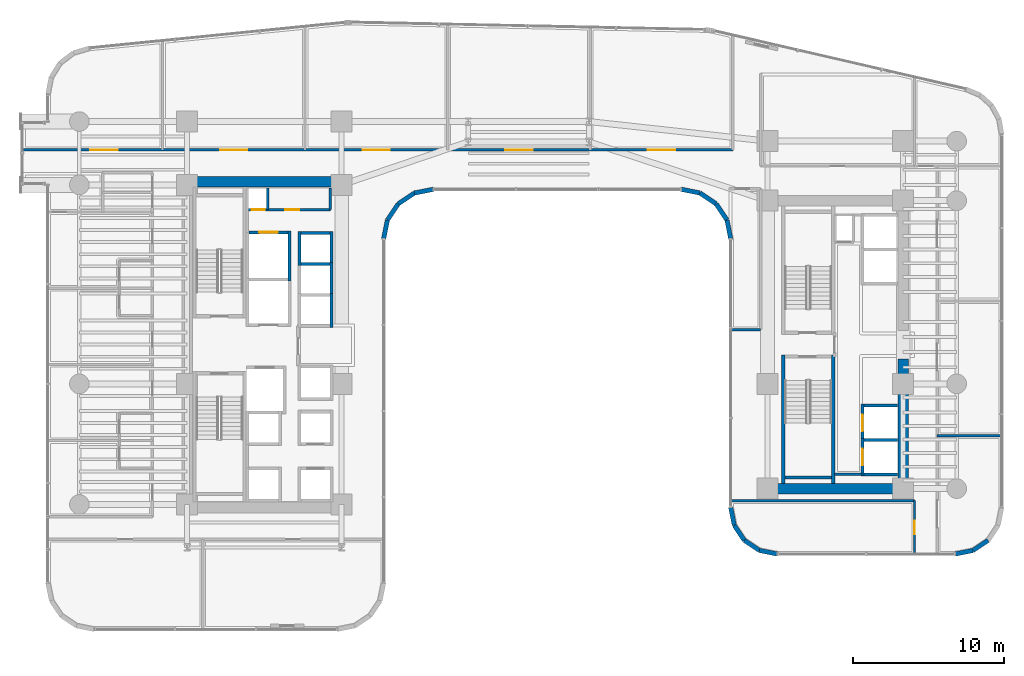
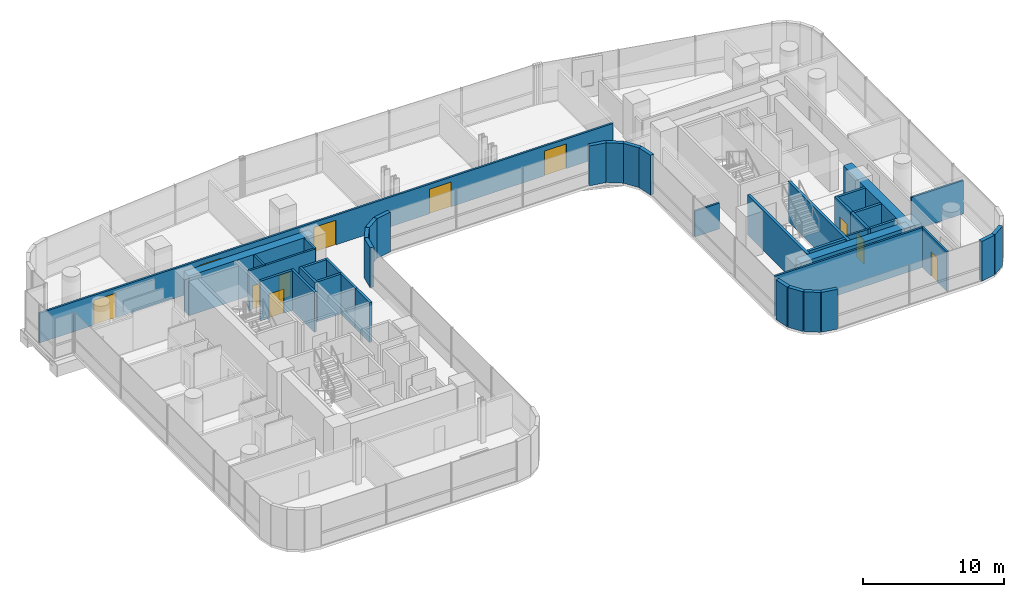
# One storey, part 33 of 40: 42 walls, 11 doors, 11 openings.
"""IFC4 building model written with IfcOpenShell, lengths in metres."""

from ifc_helpers import new_model, si_unit, direction, frame, frame_2d, origin, place, context, subcontext, project, spatial, rectangle, extrude, material, layer, layer_set, type_object, element, fill, save


model = new_model("IFC4")

# Units and contexts
model_context = context("Model", 3, precision=1e-05, world=origin(), true_north=direction((0.0, 1.0)))
body_context = subcontext(model_context, "Body", "Model", "MODEL_VIEW")
ifc_project = project(units=[si_unit("LENGTHUNIT", "METRE"), si_unit("AREAUNIT", "SQUARE_METRE"), si_unit("VOLUMEUNIT", "CUBIC_METRE"), si_unit("PLANEANGLEUNIT", "RADIAN"), si_unit("MASSUNIT", "GRAM", prefix="KILO")], contexts=[model_context])

# Site, building, storey
site_placement = place(None, origin())
site = spatial("IfcSite", under=ifc_project, at=site_placement, CompositionType="ELEMENT")
building_placement = place(site_placement, origin())
building = spatial("IfcBuilding", under=site, at=building_placement, Name="Valdorenza Pilgrim Sanctuary Tower", CompositionType="ELEMENT")
storey_placement = place(building_placement, frame((0.0, 0.0, 81.5)))
storey = spatial("IfcBuildingStorey", under=building, at=storey_placement, Name="L20", CompositionType="ELEMENT", Elevation=81.5)

# Wall, openings, doors
ifc_material_1 = material(Name="Acoustic twin-stud gypsum partition", Category="gypsum")
ifc_layer_1 = layer(ifc_material_1, 0.159912109375, Name="Acoustic twin-stud gypsum partition")
ifc_layer_set_1 = layer_set([ifc_layer_1], Name="Acoustic twin-stud gypsum partition")
wall_type_1 = type_object("IfcWallType", Name="WAL-COR-160", PredefinedType="PARTITIONING", material=ifc_layer_set_1)
wall_1_placement = place(storey_placement, frame((-18.64990234375, 8.949951171875, 0.0), z_axis=(0.0, 0.0, 1.0), x_axis=(1.0, 0.0, 0.0)))
wall_1 = element("IfcWall", 1, at=wall_1_placement, inside=storey, type_object=wall_type_1, Name="L20 Core A North Service South Wall", PredefinedType="PARTITIONING", context=body_context, shape_type="SweptSolid", body=[
    extrude(rectangle(XDim=5.5, YDim=0.159912109375, at=frame_2d((2.75, 0.0))), origin(), (0.0, 0.0, 1.0), 3.4599609375),
])
opening_1_placement = place(wall_1_placement, frame((0.300048828125, 0.0, 0.0)))
opening_1 = element("IfcOpeningElement", 2, at=opening_1_placement, cuts=wall_1, Name="Opening DR-RS1", PredefinedType="OPENING", context=body_context, shape_type="SweptSolid", body=[
    extrude(rectangle(XDim=0.85009765625, YDim=2.050048828125, at=frame_2d((0.425048828125, 1.02490234375))), frame((0.0, 0.0947265625, 0.0), z_axis=(0.0, -1.0, 0.0), x_axis=(1.0, 0.0, 0.0)), (0.0, 0.0, 1.0), 0.189697265625),
])
opening_2_placement = place(wall_1_placement, frame((2.5, 0.0, 0.0)))
opening_2 = element("IfcOpeningElement", 3, at=opening_2_placement, cuts=wall_1, Name="Opening DR-UN1", PredefinedType="OPENING", context=body_context, shape_type="SweptSolid", body=[
    extrude(rectangle(XDim=0.949951171875, YDim=2.14990234375, at=frame_2d((0.47509765625, 1.074951171875))), frame((0.0, 0.0947265625, 0.0), z_axis=(0.0, -1.0, 0.0), x_axis=(1.0, 0.0, 0.0)), (0.0, 0.0, 1.0), 0.189697265625),
])
ifc_material_2 = material(Name="Painted galvanized steel", Category="steel")
door_type_1 = type_object("IfcDoorType", Name="DR-RSR-850", OperationType="NOTDEFINED", PredefinedType="DOOR", material=ifc_material_2)
door_1_placement = place(opening_1_placement, origin())
door_1 = element("IfcDoor", 4, at=door_1_placement, inside=storey, type_object=door_type_1, Name="L20 Core Electrical and Telecom Riser Door", OperationType="SINGLE_SWING_LEFT", OverallHeight=2.050048828125, OverallWidth=0.85009765625, PredefinedType="DOOR", context=body_context, shape_type="SweptSolid", body=[
    extrude(rectangle(XDim=0.85009765625, YDim=2.050048828125, at=frame_2d((0.425048828125, 1.02490234375))), frame((0.0, 0.02490234375, 0.0), z_axis=(0.0, -1.0, 0.0), x_axis=(1.0, 0.0, 0.0)), (0.0, 0.0, 1.0), 0.050048828125),
])
fill(opening_1, door_1)
ifc_material_3 = material(Name="Solid-core European oak timber", Category="wood")
door_type_2 = type_object("IfcDoorType", Name="DR-UNIT-950", OperationType="NOTDEFINED", PredefinedType="DOOR", material=ifc_material_3)
door_2_placement = place(opening_2_placement, origin())
door_2 = element("IfcDoor", 5, at=door_2_placement, inside=storey, type_object=door_type_2, Name="L20 Housekeeping and Clean Linen Room Door", OperationType="SINGLE_SWING_RIGHT", OverallHeight=2.14990234375, OverallWidth=0.949951171875, PredefinedType="DOOR", context=body_context, shape_type="SweptSolid", body=[
    extrude(rectangle(XDim=0.949951171875, YDim=2.14990234375, at=frame_2d((0.47509765625, 1.074951171875))), frame((0.0, 0.02490234375, 0.0), z_axis=(0.0, -1.0, 0.0), x_axis=(1.0, 0.0, 0.0)), (0.0, 0.0, 1.0), 0.050048828125),
])
fill(opening_2, door_2)

# Walls
for number, where, z_axis, x_axis, name in (
    (6, (-13.14990234375, 8.949951171875, 0.0), (0.0, 0.0, 1.0), (0.0, 1.0, 0.0), "L20 Core A North Service East Wall"),
    (7, (-17.300048828125, 8.949951171875, 0.0), (0.0, 0.0, 1.0), (0.0, 1.0, 0.0), "L20 Core Electrical Riser Wall"),
):
    element("IfcWall", number, at=place(storey_placement, frame(where, z_axis=z_axis, x_axis=x_axis)), inside=storey, type_object=wall_type_1, Name=name, PredefinedType="PARTITIONING", context=body_context, shape_type="SweptSolid", body=[
        extrude(rectangle(XDim=1.429931640625, YDim=0.159912109375, at=frame_2d((0.71484375, 0.0))), origin(), (0.0, 0.0, 1.0), 3.4599609375),
    ])
wall_2_placement = place(storey_placement, frame((20.300048828125, -8.60009765625, 0.0), z_axis=(0.0, 0.0, 1.0), x_axis=(1.0, 0.0, 0.0)))
element("IfcWall", 8, at=wall_2_placement, inside=storey, type_object=wall_type_1, Name="L20 Core B Lift Hall South End Wall", PredefinedType="PARTITIONING", context=body_context, shape_type="SweptSolid", body=[
    extrude(rectangle(XDim=1.820068359375, YDim=0.159912109375, at=frame_2d((0.91015625, 0.0))), origin(), (0.0, 0.0, 1.0), 3.4599609375),
])

# Wall, openings, doors
wall_3_placement = place(storey_placement, frame((-33.5400390625, 12.919921875, 0.0), z_axis=(0.0, 0.0, 1.0), x_axis=(1.0, 0.0, 0.0)))
wall_3 = element("IfcWall", 9, at=wall_3_placement, inside=storey, type_object=wall_type_1, Name="L20 North Corridor Wall", PredefinedType="PARTITIONING", context=body_context, shape_type="SweptSolid", body=[
    extrude(rectangle(XDim=47.090087890625, YDim=0.159912109375, at=frame_2d((23.544921875, 0.0))), origin(), (0.0, 0.0, 1.0), 2.5830078125),
])
opening_3_placement = place(wall_3_placement, frame((4.47998046875, 0.0, 0.0)))
opening_3 = element("IfcOpeningElement", 10, at=opening_3_placement, cuts=wall_3, Name="Opening DR-HL1", PredefinedType="OPENING", context=body_context, shape_type="SweptSolid", body=[
    extrude(rectangle(XDim=1.800048828125, YDim=2.14990234375, at=frame_2d((0.89990234375, 1.074951171875))), frame((0.0, 0.0947265625, 0.0), z_axis=(0.0, -1.0, 0.0), x_axis=(1.0, 0.0, 0.0)), (0.0, 0.0, 1.0), 0.189697265625),
])
opening_4_placement = place(wall_3_placement, frame((13.0869140625, 0.0, 0.0)))
opening_4 = element("IfcOpeningElement", 11, at=opening_4_placement, cuts=wall_3, Name="Opening DR-HL1", PredefinedType="OPENING", context=body_context, shape_type="SweptSolid", body=[
    extrude(rectangle(XDim=1.800048828125, YDim=2.14990234375, at=frame_2d((0.89990234375, 1.074951171875))), frame((0.0, 0.0947265625, 0.0), z_axis=(0.0, -1.0, 0.0), x_axis=(1.0, 0.0, 0.0)), (0.0, 0.0, 1.0), 0.189697265625),
])
opening_5_placement = place(wall_3_placement, frame((22.544921875, 0.0, 0.0)))
opening_5 = element("IfcOpeningElement", 12, at=opening_5_placement, cuts=wall_3, Name="Opening DR-HL1", PredefinedType="OPENING", context=body_context, shape_type="SweptSolid", body=[
    extrude(rectangle(XDim=1.800048828125, YDim=2.14990234375, at=frame_2d((0.89990234375, 1.074951171875))), frame((0.0, 0.0947265625, 0.0), z_axis=(0.0, -1.0, 0.0), x_axis=(1.0, 0.0, 0.0)), (0.0, 0.0, 1.0), 0.189697265625),
])
opening_6_placement = place(wall_3_placement, frame((32.0029296875, 0.0, 0.0)))
opening_6 = element("IfcOpeningElement", 13, at=opening_6_placement, cuts=wall_3, Name="Opening DR-HL1", PredefinedType="OPENING", context=body_context, shape_type="SweptSolid", body=[
    extrude(rectangle(XDim=1.800048828125, YDim=2.14990234375, at=frame_2d((0.89990234375, 1.074951171875))), frame((0.0, 0.0947265625, 0.0), z_axis=(0.0, -1.0, 0.0), x_axis=(1.0, 0.0, 0.0)), (0.0, 0.0, 1.0), 0.189697265625),
])
opening_7_placement = place(wall_3_placement, frame((41.4609375, 0.0, 0.0)))
opening_7 = element("IfcOpeningElement", 14, at=opening_7_placement, cuts=wall_3, Name="Opening DR-HL1", PredefinedType="OPENING", context=body_context, shape_type="SweptSolid", body=[
    extrude(rectangle(XDim=1.800048828125, YDim=2.14990234375, at=frame_2d((0.89990234375, 1.074951171875))), frame((0.0, 0.0947265625, 0.0), z_axis=(0.0, -1.0, 0.0), x_axis=(1.0, 0.0, 0.0)), (0.0, 0.0, 1.0), 0.189697265625),
])
ifc_material_4 = material(Name="Acoustic oak and vision-glass double door", Category="glass")
door_type_3 = type_object("IfcDoorType", Name="DR-HALL-1800", OperationType="NOTDEFINED", PredefinedType="DOOR", material=ifc_material_4)
door_3_placement = place(opening_3_placement, origin())
door_3 = element("IfcDoor", 15, at=door_3_placement, inside=storey, type_object=door_type_3, Name="L20 Theological Seminar Classroom L20-N1 Door", OperationType="DOUBLE_DOOR_SINGLE_SWING", OverallHeight=2.14990234375, OverallWidth=1.800048828125, PredefinedType="DOOR", context=body_context, shape_type="SweptSolid", body=[
    extrude(rectangle(XDim=1.800048828125, YDim=2.14990234375, at=frame_2d((0.89990234375, 1.074951171875))), frame((0.0, 0.02490234375, 0.0), z_axis=(0.0, -1.0, 0.0), x_axis=(1.0, 0.0, 0.0)), (0.0, 0.0, 1.0), 0.050048828125),
])
fill(opening_3, door_3)
door_4_placement = place(opening_4_placement, frame((1.800048828125, 0.0, 0.0), z_axis=(0.0, 0.0, 1.0), x_axis=(-1.0, 0.0, 0.0)))
door_4 = element("IfcDoor", 16, at=door_4_placement, inside=storey, type_object=door_type_3, Name="L20 Theological Seminar Classroom L20-N2 Door", OperationType="DOUBLE_DOOR_SINGLE_SWING", OverallHeight=2.14990234375, OverallWidth=1.800048828125, PredefinedType="DOOR", context=body_context, shape_type="SweptSolid", body=[
    extrude(rectangle(XDim=1.800048828125, YDim=2.14990234375, at=frame_2d((0.89990234375, 1.074951171875))), frame((0.0, 0.02490234375, 0.0), z_axis=(0.0, -1.0, 0.0), x_axis=(1.0, 0.0, 0.0)), (0.0, 0.0, 1.0), 0.050048828125),
])
fill(opening_4, door_4)
door_5_placement = place(opening_5_placement, origin())
door_5 = element("IfcDoor", 17, at=door_5_placement, inside=storey, type_object=door_type_3, Name="L20 Theological Seminar Classroom L20-N3 Door", OperationType="DOUBLE_DOOR_SINGLE_SWING", OverallHeight=2.14990234375, OverallWidth=1.800048828125, PredefinedType="DOOR", context=body_context, shape_type="SweptSolid", body=[
    extrude(rectangle(XDim=1.800048828125, YDim=2.14990234375, at=frame_2d((0.89990234375, 1.074951171875))), frame((0.0, 0.02490234375, 0.0), z_axis=(0.0, -1.0, 0.0), x_axis=(1.0, 0.0, 0.0)), (0.0, 0.0, 1.0), 0.050048828125),
])
fill(opening_5, door_5)
door_6_placement = place(opening_6_placement, frame((1.800048828125, 0.0, 0.0), z_axis=(0.0, 0.0, 1.0), x_axis=(-1.0, 0.0, 0.0)))
door_6 = element("IfcDoor", 18, at=door_6_placement, inside=storey, type_object=door_type_3, Name="L20 Theological Seminar Classroom L20-N4 Door", OperationType="DOUBLE_DOOR_SINGLE_SWING", OverallHeight=2.14990234375, OverallWidth=1.800048828125, PredefinedType="DOOR", context=body_context, shape_type="SweptSolid", body=[
    extrude(rectangle(XDim=1.800048828125, YDim=2.14990234375, at=frame_2d((0.89990234375, 1.074951171875))), frame((0.0, 0.02490234375, 0.0), z_axis=(0.0, -1.0, 0.0), x_axis=(1.0, 0.0, 0.0)), (0.0, 0.0, 1.0), 0.050048828125),
])
fill(opening_6, door_6)
door_7_placement = place(opening_7_placement, origin())
door_7 = element("IfcDoor", 19, at=door_7_placement, inside=storey, type_object=door_type_3, Name="L20 Theological Seminar Classroom L20-N5 Door", OperationType="DOUBLE_DOOR_SINGLE_SWING", OverallHeight=2.14990234375, OverallWidth=1.800048828125, PredefinedType="DOOR", context=body_context, shape_type="SweptSolid", body=[
    extrude(rectangle(XDim=1.800048828125, YDim=2.14990234375, at=frame_2d((0.89990234375, 1.074951171875))), frame((0.0, 0.02490234375, 0.0), z_axis=(0.0, -1.0, 0.0), x_axis=(1.0, 0.0, 0.0)), (0.0, 0.0, 1.0), 0.050048828125),
])
fill(opening_7, door_7)

# Wall, opening, door
wall_4_placement = place(storey_placement, frame((25.60009765625, -13.889892578125, 0.0), z_axis=(0.0, 0.0, 1.0), x_axis=(0.0, 1.0, 0.0)))
wall_4 = element("IfcWall", 20, at=wall_4_placement, inside=storey, type_object=wall_type_1, Name="L20 Wing B South-East Corridor Wall", PredefinedType="PARTITIONING", context=body_context, shape_type="SweptSolid", body=[
    extrude(rectangle(XDim=3.539794921875, YDim=0.159912109375, at=frame_2d((1.77001953125, 0.0))), origin(), (0.0, 0.0, 1.0), 3.4599609375),
])
opening_8_placement = place(wall_4_placement, frame((1.320068359375, 0.0, 0.0)))
opening_8 = element("IfcOpeningElement", 21, at=opening_8_placement, cuts=wall_4, Name="Opening DR-RM1", PredefinedType="OPENING", context=body_context, shape_type="SweptSolid", body=[
    extrude(rectangle(XDim=0.89990234375, YDim=2.10009765625, at=frame_2d((0.449951171875, 1.050048828125))), frame((0.0, 0.0947265625, 0.0), z_axis=(0.0, -1.0, 0.0), x_axis=(1.0, 0.0, 0.0)), (0.0, 0.0, 1.0), 0.189697265625),
])
door_type_4 = type_object("IfcDoorType", Name="DR-ROOM-900", OperationType="NOTDEFINED", PredefinedType="DOOR", material=ifc_material_3)
door_8_placement = place(opening_8_placement, origin())
door_8 = element("IfcDoor", 22, at=door_8_placement, inside=storey, type_object=door_type_4, Name="L20 Theological Reference Library L20-BS Door", OperationType="SINGLE_SWING_RIGHT", OverallHeight=2.10009765625, OverallWidth=0.89990234375, PredefinedType="DOOR", context=body_context, shape_type="SweptSolid", body=[
    extrude(rectangle(XDim=0.89990234375, YDim=2.10009765625, at=frame_2d((0.449951171875, 1.050048828125))), frame((0.0, 0.02490234375, 0.0), z_axis=(0.0, -1.0, 0.0), x_axis=(1.0, 0.0, 0.0)), (0.0, 0.0, 1.0), 0.050048828125),
])
fill(opening_8, door_8)

# Walls
wall_5_placement = place(storey_placement, frame((13.409912109375, -10.35009765625, 0.0), z_axis=(0.0, 0.0, 1.0), x_axis=(1.0, 0.0, 0.0)))
element("IfcWall", 23, at=wall_5_placement, inside=storey, type_object=wall_type_1, Name="L20 Wing B South North Wall", PredefinedType="PARTITIONING", context=body_context, shape_type="SweptSolid", body=[
    extrude(rectangle(XDim=12.190185546875, YDim=0.159912109375, at=frame_2d((6.09521484375, 0.0))), origin(), (0.0, 0.0, 1.0), 3.4599609375),
])
wall_6_placement = place(storey_placement, frame((13.409912109375, 1.0, 0.0), z_axis=(0.0, 0.0, 1.0), x_axis=(1.0, 0.0, 0.0)))
element("IfcWall", 24, at=wall_6_placement, inside=storey, type_object=wall_type_1, Name="L20 Courtyard Overlook South Wall", PredefinedType="PARTITIONING", context=body_context, shape_type="SweptSolid", body=[
    extrude(rectangle(XDim=1.989990234375, YDim=0.159912109375, at=frame_2d((0.9951171875, 0.0))), origin(), (0.0, 0.0, 1.0), 2.2451171875),
])
ifc_material_5 = material(Name="Concrete C60/75", Category="concrete")
ifc_layer_2 = layer(ifc_material_5, 0.699951171875, Name="Concrete C60/75")
ifc_layer_set_2 = layer_set([ifc_layer_2], Name="Concrete C60/75")
wall_type_2 = type_object("IfcWallType", Name="WAL-COR-700", PredefinedType="SHEAR", material=ifc_layer_set_2)
wall_7_placement = place(storey_placement, frame((-22.64990234375, 10.800048828125, 0.0), z_axis=(0.0, 0.0, 1.0), x_axis=(1.0, 0.0, 0.0)))
element("IfcWall", 25, at=wall_7_placement, inside=storey, type_object=wall_type_2, Name="L20 Split Core A Shear Wall N", PredefinedType="SHEAR", context=body_context, shape_type="SweptSolid", body=[
    extrude(rectangle(XDim=10.25, YDim=0.699951171875, at=frame_2d((5.125, 0.0))), origin(), (0.0, 0.0, 1.0), 3.4599609375),
])
wall_8_placement = place(storey_placement, frame((24.85009765625, -9.89990234375, 0.0), z_axis=(0.0, 0.0, 1.0), x_axis=(0.0, 1.0, 0.0)))
element("IfcWall", 26, at=wall_8_placement, inside=storey, type_object=wall_type_2, Name="L20 Split Core B Shear Wall ES", PredefinedType="SHEAR", context=body_context, shape_type="SweptSolid", body=[
    extrude(rectangle(XDim=8.949951171875, YDim=0.699951171875, at=frame_2d((4.47509765625, 0.0))), origin(), (0.0, 0.0, 1.0), 3.4599609375),
])
wall_9_placement = place(storey_placement, frame((15.85009765625, -9.550048828125, 0.0), z_axis=(0.0, 0.0, 1.0), x_axis=(1.0, 0.0, 0.0)))
element("IfcWall", 27, at=wall_9_placement, inside=storey, type_object=wall_type_2, Name="L20 Split Core B Shear Wall S", PredefinedType="SHEAR", context=body_context, shape_type="SweptSolid", body=[
    extrude(rectangle(XDim=9.0, YDim=0.699951171875, at=frame_2d((4.5, 0.0))), origin(), (0.0, 0.0, 1.0), 3.4599609375),
])
ifc_material_6 = material(Name="Honed travertine limestone", Category="masonry")
ifc_layer_3 = layer(ifc_material_6, 0.300048828125, Name="Honed travertine limestone")
ifc_layer_set_3 = layer_set([ifc_layer_3], Name="Honed travertine limestone")
wall_type_3 = type_object("IfcWallType", Name="WAL-EXT-300", PredefinedType="SOLIDWALL", material=ifc_layer_set_3)
wall_10_placement = place(storey_placement, frame((30.4833984375, -12.9833984375, 0.0), z_axis=(0.0, 0.0, 1.0), x_axis=(-0.831426265255, -0.555635100982, 0.0)))
element("IfcWall", 28, at=wall_10_placement, inside=storey, type_object=wall_type_3, Name="L20 Rounded Wind-Corner Stone Pier 24", PredefinedType="SOLIDWALL", context=body_context, shape_type="SweptSolid", body=[
    extrude(rectangle(XDim=1.204833984375, YDim=0.300048828125, at=frame_2d((0.6025390625, 0.0))), origin(), (0.0, 0.0, 1.0), 3.4599609375),
])
for number, where, z_axis, x_axis, name in (
    (29, (29.481689453125, -13.65283203125, 0.0), (0.0, 0.0, 1.0), (-0.980804027463, -0.194996050505, 0.0), "L20 Rounded Wind-Corner Stone Pier 25"),
    (30, (16.5107421875, -13.889892578125, 0.0), (0.0, 0.0, 1.0), (-0.980804027463, 0.194996050505, 0.0), "L20 Rounded Wind-Corner Stone Pier 27"),
):
    element("IfcWall", number, at=place(storey_placement, frame(where, z_axis=z_axis, x_axis=x_axis)), inside=storey, type_object=wall_type_3, Name=name, PredefinedType="SOLIDWALL", context=body_context, shape_type="SweptSolid", body=[
        extrude(rectangle(XDim=1.2158203125, YDim=0.300048828125, at=frame_2d((0.60791015625, 0.0))), origin(), (0.0, 0.0, 1.0), 3.4599609375),
    ])
for number, where, z_axis, x_axis, name in (
    (31, (15.318359375, -13.65283203125, 0.0), (0.0, 0.0, 1.0), (-0.831426265255, 0.555635100982, 0.0), "L20 Rounded Wind-Corner Stone Pier 28"),
    (32, (14.316650390625, -12.9833984375, 0.0), (0.0, 0.0, 1.0), (-0.555635100982, 0.831426265255, 0.0), "L20 Rounded Wind-Corner Stone Pier 29"),
):
    element("IfcWall", number, at=place(storey_placement, frame(where, z_axis=z_axis, x_axis=x_axis)), inside=storey, type_object=wall_type_3, Name=name, PredefinedType="SOLIDWALL", context=body_context, shape_type="SweptSolid", body=[
        extrude(rectangle(XDim=1.204833984375, YDim=0.300048828125, at=frame_2d((0.6025390625, 0.0))), origin(), (0.0, 0.0, 1.0), 3.4599609375),
    ])
wall_11_placement = place(storey_placement, frame((13.647216796875, -11.981689453125, 0.0), z_axis=(0.0, 0.0, 1.0), x_axis=(-0.195189223115, 0.980765602568, 0.0)))
element("IfcWall", 33, at=wall_11_placement, inside=storey, type_object=wall_type_3, Name="L20 Rounded Wind-Corner Stone Pier 30", PredefinedType="SOLIDWALL", context=body_context, shape_type="SweptSolid", body=[
    extrude(rectangle(XDim=1.2158203125, YDim=0.300048828125, at=frame_2d((0.60791015625, 0.0))), origin(), (0.0, 0.0, 1.0), 3.4599609375),
])
wall_12_placement = place(storey_placement, frame((13.409912109375, 7.0107421875, 0.0), z_axis=(0.0, 0.0, 1.0), x_axis=(-0.195090163074, 0.980785312019, 0.0)))
element("IfcWall", 34, at=wall_12_placement, inside=storey, type_object=wall_type_3, Name="L20 Rounded Wind-Corner Stone Pier 32", PredefinedType="SOLIDWALL", context=body_context, shape_type="SweptSolid", body=[
    extrude(rectangle(XDim=1.281494140625, YDim=0.300048828125, at=frame_2d((0.640625, 0.0))), origin(), (0.0, 0.0, 1.0), 3.4599609375),
])
for number, where, z_axis, x_axis, name in (
    (35, (13.159912109375, 8.267578125, 0.0), (0.0, 0.0, 1.0), (-0.555615398575, 0.831439431869, 0.0), "L20 Rounded Wind-Corner Stone Pier 33"),
    (36, (12.44189453125, 9.342041015625, 0.0), (0.0, 0.0, 1.0), (-0.831439431869, 0.555615398575, 0.0), "L20 Rounded Wind-Corner Stone Pier 34"),
):
    element("IfcWall", number, at=place(storey_placement, frame(where, z_axis=z_axis, x_axis=x_axis)), inside=storey, type_object=wall_type_3, Name=name, PredefinedType="SOLIDWALL", context=body_context, shape_type="SweptSolid", body=[
        extrude(rectangle(XDim=1.292236328125, YDim=0.300048828125, at=frame_2d((0.64599609375, 0.0))), origin(), (0.0, 0.0, 1.0), 3.4599609375),
    ])
for number, where, z_axis, x_axis, name in (
    (37, (11.367431640625, 10.06005859375, 0.0), (0.0, 0.0, 1.0), (-0.980778058848, 0.195126623715, 0.0), "L20 Rounded Wind-Corner Stone Pier 35"),
    (38, (-6.310791015625, 10.31005859375, 0.0), (0.0, 0.0, 1.0), (-0.980778058848, -0.195126623715, 0.0), "L20 Rounded Wind-Corner Stone Pier 37"),
):
    element("IfcWall", number, at=place(storey_placement, frame(where, z_axis=z_axis, x_axis=x_axis)), inside=storey, type_object=wall_type_3, Name=name, PredefinedType="SOLIDWALL", context=body_context, shape_type="SweptSolid", body=[
        extrude(rectangle(XDim=1.28125, YDim=0.300048828125, at=frame_2d((0.640625, 0.0))), origin(), (0.0, 0.0, 1.0), 3.4599609375),
    ])
wall_13_placement = place(storey_placement, frame((-7.5673828125, 10.06005859375, 0.0), z_axis=(0.0, 0.0, 1.0), x_axis=(-0.831497739511, -0.555528135371, 0.0)))
element("IfcWall", 39, at=wall_13_placement, inside=storey, type_object=wall_type_3, Name="L20 Rounded Wind-Corner Stone Pier 38", PredefinedType="SOLIDWALL", context=body_context, shape_type="SweptSolid", body=[
    extrude(rectangle(XDim=1.29248046875, YDim=0.300048828125, at=frame_2d((0.646240234375, 0.0))), origin(), (0.0, 0.0, 1.0), 3.4599609375),
])
wall_14_placement = place(storey_placement, frame((-8.64208984375, 9.342041015625, 0.0), z_axis=(0.0, 0.0, 1.0), x_axis=(-0.555615398575, -0.831439431869, 0.0)))
element("IfcWall", 40, at=wall_14_placement, inside=storey, type_object=wall_type_3, Name="L20 Rounded Wind-Corner Stone Pier 39", PredefinedType="SOLIDWALL", context=body_context, shape_type="SweptSolid", body=[
    extrude(rectangle(XDim=1.292236328125, YDim=0.300048828125, at=frame_2d((0.64599609375, 0.0))), origin(), (0.0, 0.0, 1.0), 3.4599609375),
])
wall_15_placement = place(storey_placement, frame((-9.360107421875, 8.267578125, 0.0), z_axis=(0.0, 0.0, 1.0), x_axis=(-0.195090163074, -0.980785312019, 0.0)))
element("IfcWall", 41, at=wall_15_placement, inside=storey, type_object=wall_type_3, Name="L20 Rounded Wind-Corner Stone Pier 40", PredefinedType="SOLIDWALL", context=body_context, shape_type="SweptSolid", body=[
    extrude(rectangle(XDim=1.281494140625, YDim=0.300048828125, at=frame_2d((0.640625, 0.0))), origin(), (0.0, 0.0, 1.0), 3.4599609375),
])
ifc_material_7 = material(Name="Autoclaved aerated concrete blockwork", Category="masonry")
ifc_layer_4 = layer(ifc_material_7, 0.199951171875, Name="Autoclaved aerated concrete blockwork")
ifc_layer_set_4 = layer_set([ifc_layer_4], Name="Autoclaved aerated concrete blockwork")
wall_type_4 = type_object("IfcWallType", Name="WAL-SHF-200", PredefinedType="MOVABLE", material=ifc_layer_set_4)
wall_16_placement = place(storey_placement, frame((-15.85009765625, 4.22509765625, 0.0), z_axis=(0.0, 0.0, 1.0), x_axis=(0.0, 1.0, 0.0)))
element("IfcWall", 42, at=wall_16_placement, inside=storey, type_object=wall_type_4, Name="L20 Lift SVL-01 Hoistway Wall East", PredefinedType="MOVABLE", context=body_context, shape_type="SweptSolid", body=[
    extrude(rectangle(XDim=3.324951171875, YDim=0.199951171875, at=frame_2d((1.66259765625, 0.0))), origin(), (0.0, 0.0, 1.0), 3.4599609375),
])

# Wall, opening, door
wall_17_placement = place(storey_placement, frame((-18.550048828125, 7.449951171875, 0.0), z_axis=(0.0, 0.0, 1.0), x_axis=(1.0, 0.0, 0.0)))
wall_17 = element("IfcWall", 43, at=wall_17_placement, inside=storey, type_object=wall_type_4, Name="L20 Lift SVL-01 Hoistway Wall North", PredefinedType="MOVABLE", context=body_context, shape_type="SweptSolid", body=[
    extrude(rectangle(XDim=2.60009765625, YDim=0.199951171875, at=frame_2d((1.300048828125, 0.0))), origin(), (0.0, 0.0, 1.0), 3.4599609375),
])
opening_9_placement = place(wall_17_placement, frame((0.699951171875, 0.0, 0.0)))
opening_9 = element("IfcOpeningElement", 44, at=opening_9_placement, cuts=wall_17, Name="Opening LD-02", PredefinedType="OPENING", context=body_context, shape_type="SweptSolid", body=[
    extrude(rectangle(XDim=1.199951171875, YDim=2.10009765625, at=frame_2d((0.60009765625, 1.050048828125))), frame((0.0, 0.11474609375, 0.0), z_axis=(0.0, -1.0, 0.0), x_axis=(1.0, 0.0, 0.0)), (0.0, 0.0, 1.0), 0.229736328125),
])
ifc_material_8 = material(Name="Brushed stainless steel Grade 316", Category="steel")
door_type_5 = type_object("IfcDoorType", Name="DR-LFT-1200", OperationType="DOUBLE_DOOR_SLIDING", PredefinedType="DOOR", material=ifc_material_8)
door_9_placement = place(opening_9_placement, origin())
door_9 = element("IfcDoor", 45, at=door_9_placement, inside=storey, type_object=door_type_5, Name="L20 Lift SVL-01 Sliding Landing Door", OperationType="DOUBLE_DOOR_SLIDING", OverallHeight=2.10009765625, OverallWidth=1.199951171875, PredefinedType="DOOR", context=body_context, shape_type="SweptSolid", body=[
    extrude(rectangle(XDim=1.199951171875, YDim=2.10009765625, at=frame_2d((0.60009765625, 1.050048828125))), frame((0.0, 0.02490234375, 0.0), z_axis=(0.0, -1.0, 0.0), x_axis=(1.0, 0.0, 0.0)), (0.0, 0.0, 1.0), 0.050048828125),
])
fill(opening_9, door_9)

wall_18_placement = place(storey_placement, frame((22.14990234375, -8.699951171875, 0.0), z_axis=(0.0, 0.0, 1.0), x_axis=(0.0, 1.0, 0.0)))
wall_18 = element("IfcWall", 46, at=wall_18_placement, inside=storey, type_object=wall_type_4, Name="L20 Lift PL-03 Hoistway Wall West", PredefinedType="MOVABLE", context=body_context, shape_type="SweptSolid", body=[
    extrude(rectangle(XDim=2.474853515625, YDim=0.199951171875, at=frame_2d((1.2373046875, 0.0))), origin(), (0.0, 0.0, 1.0), 3.4599609375),
])
opening_10_placement = place(wall_18_placement, frame((0.6875, 0.0, 0.0)))
opening_10 = element("IfcOpeningElement", 47, at=opening_10_placement, cuts=wall_18, Name="Opening LD-01", PredefinedType="OPENING", context=body_context, shape_type="SweptSolid", body=[
    extrude(rectangle(XDim=1.10009765625, YDim=2.10009765625, at=frame_2d((0.550048828125, 1.050048828125))), frame((0.0, 0.11474609375, 0.0), z_axis=(0.0, -1.0, 0.0), x_axis=(1.0, 0.0, 0.0)), (0.0, 0.0, 1.0), 0.229736328125),
])
door_type_6 = type_object("IfcDoorType", Name="DR-LFT-1100", OperationType="DOUBLE_DOOR_SLIDING", PredefinedType="DOOR", material=ifc_material_8)
door_10_placement = place(opening_10_placement, origin())
door_10 = element("IfcDoor", 48, at=door_10_placement, inside=storey, type_object=door_type_6, Name="L20 Lift PL-03 Sliding Landing Door", OperationType="DOUBLE_DOOR_SLIDING", OverallHeight=2.10009765625, OverallWidth=1.10009765625, PredefinedType="DOOR", context=body_context, shape_type="SweptSolid", body=[
    extrude(rectangle(XDim=1.10009765625, YDim=2.10009765625, at=frame_2d((0.550048828125, 1.050048828125))), frame((0.0, 0.02490234375, 0.0), z_axis=(0.0, -1.0, 0.0), x_axis=(1.0, 0.0, 0.0)), (0.0, 0.0, 1.0), 0.050048828125),
])
fill(opening_10, door_10)

# Walls
for number, where, z_axis, x_axis, name in (
    (49, (22.25, -8.60009765625, 0.0), (0.0, 0.0, 1.0), (1.0, 0.0, 0.0), "L20 Lift PL-03 Hoistway Wall South"),
    (50, (22.25, -6.324951171875, 0.0), (0.0, 0.0, 1.0), (1.0, 0.0, 0.0), "L20 Lift PL-03 Hoistway Wall North"),
):
    element("IfcWall", number, at=place(storey_placement, frame(where, z_axis=z_axis, x_axis=x_axis)), inside=storey, type_object=wall_type_4, Name=name, PredefinedType="MOVABLE", context=body_context, shape_type="SweptSolid", body=[
        extrude(rectangle(XDim=2.22998046875, YDim=0.199951171875, at=frame_2d((1.114990234375, 0.0))), origin(), (0.0, 0.0, 1.0), 3.4599609375),
    ])

# Wall, opening, door
wall_19_placement = place(storey_placement, frame((22.14990234375, -6.425048828125, 0.0), z_axis=(0.0, 0.0, 1.0), x_axis=(0.0, 1.0, 0.0)))
wall_19 = element("IfcWall", 51, at=wall_19_placement, inside=storey, type_object=wall_type_4, Name="L20 Lift PL-04 Hoistway Wall West", PredefinedType="MOVABLE", context=body_context, shape_type="SweptSolid", body=[
    extrude(rectangle(XDim=2.47509765625, YDim=0.199951171875, at=frame_2d((1.237548828125, 0.0))), origin(), (0.0, 0.0, 1.0), 3.4599609375),
])
opening_11_placement = place(wall_19_placement, frame((0.6875, 0.0, 0.0)))
opening_11 = element("IfcOpeningElement", 52, at=opening_11_placement, cuts=wall_19, Name="Opening LD-01", PredefinedType="OPENING", context=body_context, shape_type="SweptSolid", body=[
    extrude(rectangle(XDim=1.10009765625, YDim=2.10009765625, at=frame_2d((0.550048828125, 1.050048828125))), frame((0.0, 0.11474609375, 0.0), z_axis=(0.0, -1.0, 0.0), x_axis=(1.0, 0.0, 0.0)), (0.0, 0.0, 1.0), 0.229736328125),
])
door_11_placement = place(opening_11_placement, origin())
door_11 = element("IfcDoor", 53, at=door_11_placement, inside=storey, type_object=door_type_6, Name="L20 Lift PL-04 Sliding Landing Door", OperationType="DOUBLE_DOOR_SLIDING", OverallHeight=2.10009765625, OverallWidth=1.10009765625, PredefinedType="DOOR", context=body_context, shape_type="SweptSolid", body=[
    extrude(rectangle(XDim=1.10009765625, YDim=2.10009765625, at=frame_2d((0.550048828125, 1.050048828125))), frame((0.0, 0.02490234375, 0.0), z_axis=(0.0, -1.0, 0.0), x_axis=(1.0, 0.0, 0.0)), (0.0, 0.0, 1.0), 0.050048828125),
])
fill(opening_11, door_11)

# Walls
wall_20_placement = place(storey_placement, frame((22.25, -4.050048828125, 0.0), z_axis=(0.0, 0.0, 1.0), x_axis=(1.0, 0.0, 0.0)))
element("IfcWall", 54, at=wall_20_placement, inside=storey, type_object=wall_type_4, Name="L20 Lift PL-04 Hoistway Wall North", PredefinedType="MOVABLE", context=body_context, shape_type="SweptSolid", body=[
    extrude(rectangle(XDim=2.22998046875, YDim=0.199951171875, at=frame_2d((1.114990234375, 0.0))), origin(), (0.0, 0.0, 1.0), 3.4599609375),
])
for number, where, z_axis, x_axis, name in (
    (55, (-13.080078125, 1.14990234375, 0.0), (0.0, 0.0, 1.0), (0.0, 1.0, 0.0), "L20 Lift PL-06 Hoistway Wall East"),
    (56, (-13.080078125, 3.199951171875, 0.0), (0.0, 0.0, 1.0), (0.0, 1.0, 0.0), "L20 Lift PL-09 Hoistway Wall East"),
):
    element("IfcWall", number, at=place(storey_placement, frame(where, z_axis=z_axis, x_axis=x_axis)), inside=storey, type_object=wall_type_4, Name=name, PredefinedType="MOVABLE", context=body_context, shape_type="SweptSolid", body=[
        extrude(rectangle(XDim=2.25, YDim=0.199951171875, at=frame_2d((1.125, 0.0))), origin(), (0.0, 0.0, 1.0), 3.4599609375),
    ])
wall_21_placement = place(storey_placement, frame((-15.10009765625, 5.35009765625, 0.0), z_axis=(0.0, 0.0, 1.0), x_axis=(1.0, 0.0, 0.0)))
element("IfcWall", 57, at=wall_21_placement, inside=storey, type_object=wall_type_4, Name="L20 Lift PL-09 Hoistway Wall North", PredefinedType="MOVABLE", context=body_context, shape_type="SweptSolid", body=[
    extrude(rectangle(XDim=1.920166015625, YDim=0.199951171875, at=frame_2d((0.9599609375, 0.0))), origin(), (0.0, 0.0, 1.0), 3.4599609375),
])
for number, where, z_axis, x_axis, name in (
    (58, (-15.199951171875, 5.25, 0.0), (0.0, 0.0, 1.0), (0.0, 1.0, 0.0), "L20 Lift PL-10 Hoistway Wall West"),
    (59, (-13.080078125, 5.25, 0.0), (0.0, 0.0, 1.0), (0.0, 1.0, 0.0), "L20 Lift PL-10 Hoistway Wall East"),
):
    element("IfcWall", number, at=place(storey_placement, frame(where, z_axis=z_axis, x_axis=x_axis)), inside=storey, type_object=wall_type_4, Name=name, PredefinedType="MOVABLE", context=body_context, shape_type="SweptSolid", body=[
        extrude(rectangle(XDim=2.25, YDim=0.199951171875, at=frame_2d((1.125, 0.0))), origin(), (0.0, 0.0, 1.0), 3.4599609375),
    ])
wall_22_placement = place(storey_placement, frame((-15.10009765625, 7.39990234375, 0.0), z_axis=(0.0, 0.0, 1.0), x_axis=(1.0, 0.0, 0.0)))
element("IfcWall", 60, at=wall_22_placement, inside=storey, type_object=wall_type_4, Name="L20 Lift PL-10 Hoistway Wall North", PredefinedType="MOVABLE", context=body_context, shape_type="SweptSolid", body=[
    extrude(rectangle(XDim=1.920166015625, YDim=0.199951171875, at=frame_2d((0.9599609375, 0.0))), origin(), (0.0, 0.0, 1.0), 3.4599609375),
])
ifc_material_9 = material(Name="Concrete C40/50", Category="concrete")
ifc_layer_5 = layer(ifc_material_9, 0.219970703125, Name="Concrete C40/50")
ifc_layer_set_5 = layer_set([ifc_layer_5], Name="Concrete C40/50")
wall_type_5 = type_object("IfcWallType", Name="WAL-STR-SHF-220", PredefinedType="SHEAR", material=ifc_layer_set_5)
for number, where, z_axis, x_axis, name in (
    (61, (16.889892578125, -9.199951171875, 0.0), (0.0, 0.0, 1.0), (0.0, 1.0, 0.0), "L20 ST-B2 Structural Stairwell Wall W"),
    (62, (20.219970703125, -9.199951171875, 0.0), (0.0, 0.0, 1.0), (0.0, 1.0, 0.0), "L20 ST-B2 Structural Stairwell Wall E"),
):
    element("IfcWall", number, at=place(storey_placement, frame(where, z_axis=z_axis, x_axis=x_axis)), inside=storey, type_object=wall_type_5, Name=name, PredefinedType="SHEAR", context=body_context, shape_type="SweptSolid", body=[
        extrude(rectangle(XDim=8.52001953125, YDim=0.219970703125, at=frame_2d((4.260009765625, 0.0))), origin(), (0.0, 0.0, 1.0), 3.4599609375),
    ])
wall_23_placement = place(storey_placement, frame((17.0, -8.81005859375, 0.0), z_axis=(0.0, 0.0, 1.0), x_axis=(1.0, 0.0, 0.0)))
element("IfcWall", 63, at=wall_23_placement, inside=storey, type_object=wall_type_5, Name="L20 ST-B2 Structural Stairwell Wall S", PredefinedType="SHEAR", context=body_context, shape_type="SweptSolid", body=[
    extrude(rectangle(XDim=3.110107421875, YDim=0.219970703125, at=frame_2d((1.55517578125, 0.0))), origin(), (0.0, 0.0, 1.0), 3.4599609375),
])
ifc_layer_6 = layer(ifc_material_1, 0.14990234375, Name="Acoustic twin-stud gypsum partition")
ifc_layer_set_6 = layer_set([ifc_layer_6], Name="Acoustic twin-stud gypsum partition")
wall_type_6 = type_object("IfcWallType", Name="WAL-UNT-150", PredefinedType="PARTITIONING", material=ifc_layer_set_6)
wall_24_placement = place(storey_placement, frame((27.10009765625, -6.050048828125, 0.0), z_axis=(0.0, 0.0, 1.0), x_axis=(1.0, 0.0, 0.0)))
element("IfcWall", 64, at=wall_24_placement, inside=storey, type_object=wall_type_6, Name="L20 East Reading Lounge L20-EB2 Demising Wall", PredefinedType="PARTITIONING", context=body_context, shape_type="SweptSolid", body=[
    extrude(rectangle(XDim=4.289794921875, YDim=0.14990234375, at=frame_2d((2.14501953125, 0.0))), origin(), (0.0, 0.0, 1.0), 2.89599609375),
])

save(model, "model.ifc")
